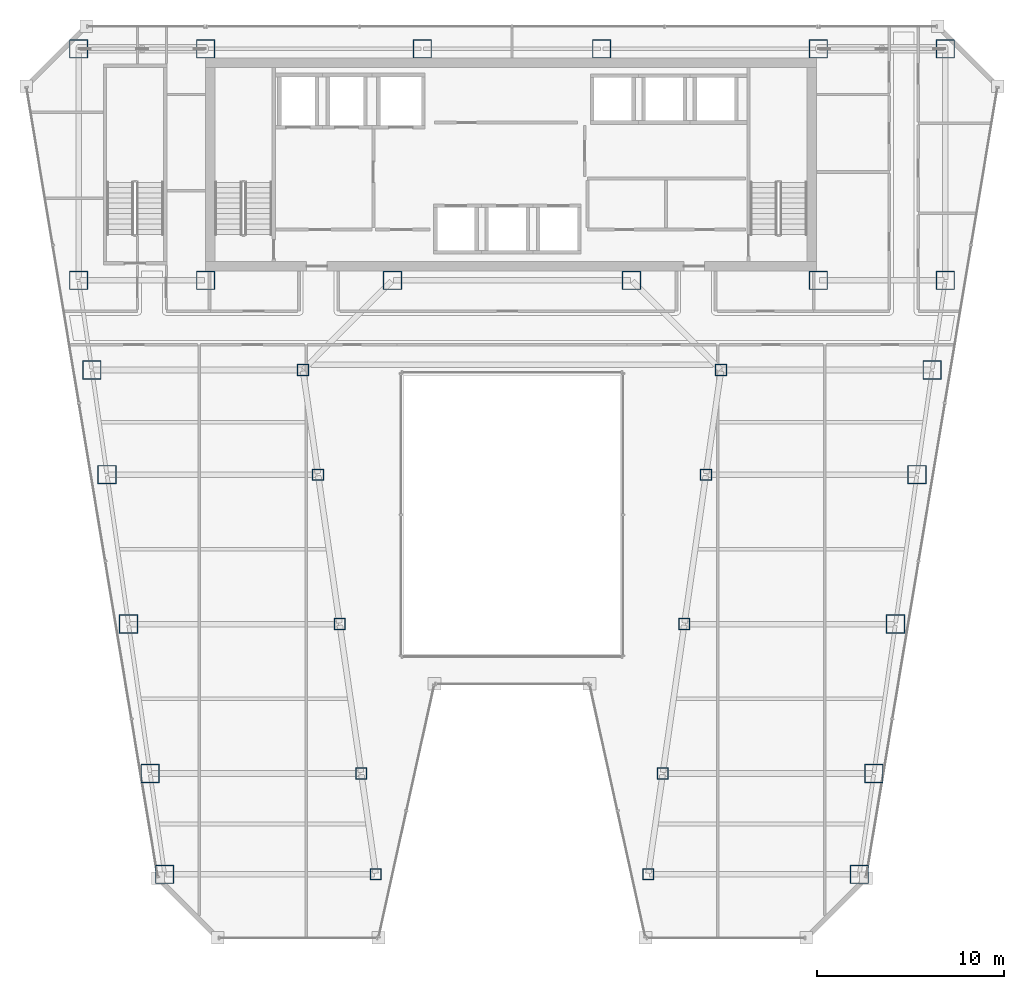
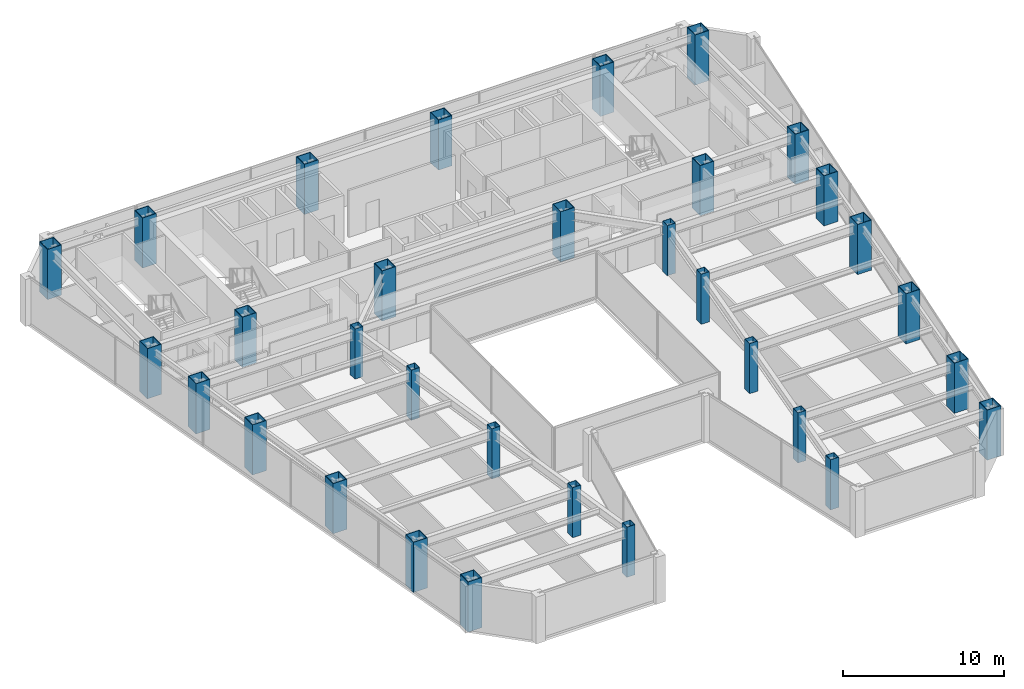
# One storey, part 1 of 40: 32 columns.
"""IFC4 building model written with IfcOpenShell, lengths in metres."""

from ifc_helpers import new_model, si_unit, direction, frame, origin, origin_2d, place, context, subcontext, project, spatial, hollow_rectangle, extrude, material, material_profile, profile_set, type_object, element, save


model = new_model("IFC4")

# Units and contexts
model_context = context("Model", 3, precision=1e-05, world=origin(), true_north=direction((0.0, 1.0)))
body_context = subcontext(model_context, "Body", "Model", "MODEL_VIEW")
ifc_project = project(units=[si_unit("LENGTHUNIT", "METRE"), si_unit("AREAUNIT", "SQUARE_METRE"), si_unit("VOLUMEUNIT", "CUBIC_METRE"), si_unit("PLANEANGLEUNIT", "RADIAN"), si_unit("MASSUNIT", "GRAM", prefix="KILO")], contexts=[model_context])

# Site, building, storey
site_placement = place(None, origin())
site = spatial("IfcSite", under=ifc_project, at=site_placement, CompositionType="ELEMENT")
building_placement = place(site_placement, origin())
building = spatial("IfcBuilding", under=site, at=building_placement, Name="Saevonmaru Cultural Tower", CompositionType="ELEMENT")
storey_placement = place(building_placement, frame((0.0, 0.0, 129.60009765625)))
storey = spatial("IfcBuildingStorey", under=building, at=storey_placement, Name="L27", CompositionType="ELEMENT", Elevation=129.60009765625)

# Columns
ifc_material_1 = material(Name="Steel SM420", Category="steel")
ifc_material_profile_1 = material_profile(ifc_material_1, hollow_rectangle(XDim=1.0, YDim=1.0, WallThickness=0.044921875, at=origin_2d()), Name="BOX-1000x1000x45")
ifc_profile_set_1 = profile_set([ifc_material_profile_1], Name="Steel SM420")
column_type_1 = type_object("IfcColumnType", Name="COL-BOX-1000", PredefinedType="COLUMN", material=ifc_profile_set_1)
for number, where, z_axis, x_axis, name in (
    (1, (6.800048828125, 54.800048828125, 0.0), (0.0, 0.0, 1.0), (1.0, 0.0, 0.0), "L27 Column TC-N1N"),
    (2, (13.60009765625, 54.800048828125, 0.0), (0.0, 0.0, 1.0), (1.0, 0.0, 0.0), "L27 Column TC-N2N"),
    (3, (25.199951171875, 54.800048828125, 0.0), (0.0, 0.0, 1.0), (1.0, 0.0, 0.0), "L27 Column TC-N3N"),
    (4, (34.800048828125, 54.800048828125, 0.0), (0.0, 0.0, 1.0), (1.0, 0.0, 0.0), "L27 Column TC-N4N"),
    (5, (46.39990234375, 54.800048828125, 0.0), (0.0, 0.0, 1.0), (1.0, 0.0, 0.0), "L27 Column TC-N5N"),
    (6, (53.199951171875, 54.800048828125, 0.0), (0.0, 0.0, 1.0), (1.0, 0.0, 0.0), "L27 Column TC-N6N"),
    (7, (6.800048828125, 42.39990234375, 0.0), (0.0, 0.0, 1.0), (1.0, 0.0, 0.0), "L27 Column TC-S1C"),
    (8, (13.60009765625, 42.39990234375, 0.0), (0.0, 0.0, 1.0), (1.0, 0.0, 0.0), "L27 Column TC-S2C"),
    (9, (23.60009765625, 42.39990234375, 0.0), (0.0, 0.0, 1.0), (1.0, 0.0, 0.0), "L27 Column TC-S3C"),
    (10, (36.39990234375, 42.39990234375, 0.0), (0.0, 0.0, 1.0), (1.0, 0.0, 0.0), "L27 Column TC-S4C"),
    (11, (46.39990234375, 42.39990234375, 0.0), (0.0, 0.0, 1.0), (1.0, 0.0, 0.0), "L27 Column TC-S5C"),
    (12, (53.199951171875, 42.39990234375, 0.0), (0.0, 0.0, 1.0), (1.0, 0.0, 0.0), "L27 Column TC-S6C"),
    (13, (11.407958984375, 10.60009765625, 0.0), (0.0, 0.0, 1.0), (1.0, 0.0, 0.0), "L27 Column TC-WO-Y106"),
    (14, (48.592041015625, 10.60009765625, 0.0), (0.0, 0.0, 1.0), (1.0, 0.0, 0.0), "L27 Column TC-EO-Y106"),
    (15, (10.6279296875, 16.0, 0.0), (0.0, 0.0, 1.0), (1.0, 0.0, 0.0), "L27 Column TC-WO-Y160"),
    (16, (49.3720703125, 16.0, 0.0), (0.0, 0.0, 1.0), (1.0, 0.0, 0.0), "L27 Column TC-EO-Y160"),
    (17, (9.471923828125, 24.0, 0.0), (0.0, 0.0, 1.0), (1.0, 0.0, 0.0), "L27 Column TC-WO-Y240"),
    (18, (50.528076171875, 24.0, 0.0), (0.0, 0.0, 1.0), (1.0, 0.0, 0.0), "L27 Column TC-EO-Y240"),
    (19, (8.31689453125, 32.0, 0.0), (0.0, 0.0, 1.0), (1.0, 0.0, 0.0), "L27 Column TC-WO-Y320"),
    (20, (51.68310546875, 32.0, 0.0), (0.0, 0.0, 1.0), (1.0, 0.0, 0.0), "L27 Column TC-EO-Y320"),
    (21, (7.508056640625, 37.60009765625, 0.0), (0.0, 0.0, 1.0), (1.0, 0.0, 0.0), "L27 Column TC-WO-Y376"),
    (22, (52.491943359375, 37.60009765625, 0.0), (0.0, 0.0, 1.0), (1.0, 0.0, 0.0), "L27 Column TC-EO-Y376"),
):
    element("IfcColumn", number, at=place(storey_placement, frame(where, z_axis=z_axis, x_axis=x_axis)), inside=storey, type_object=column_type_1, Name=name, PredefinedType="COLUMN", context=body_context, shape_type="SweptSolid", body=[
        extrude(hollow_rectangle(XDim=1.0, YDim=1.0, WallThickness=0.044921875, at=origin_2d()), origin(), (0.0, 0.0, 1.0), 3.7998046875),
    ])
ifc_material_2 = material(Name="Steel SM355", Category="steel")
ifc_material_profile_2 = material_profile(ifc_material_2, hollow_rectangle(XDim=0.60009765625, YDim=0.60009765625, WallThickness=0.028076171875, at=origin_2d()), Name="BOX-600x600x28")
ifc_profile_set_2 = profile_set([ifc_material_profile_2], Name="Steel SM355")
column_type_2 = type_object("IfcColumnType", Name="COL-BOX-600", PredefinedType="COLUMN", material=ifc_profile_set_2)
for number, where, z_axis, x_axis, name in (
    (23, (22.7080078125, 10.60009765625, 0.0), (0.0, 0.0, 1.0), (1.0, 0.0, 0.0), "L27 Column TC-WI-Y106"),
    (24, (37.2919921875, 10.60009765625, 0.0), (0.0, 0.0, 1.0), (1.0, 0.0, 0.0), "L27 Column TC-EI-Y106"),
    (25, (21.927978515625, 16.0, 0.0), (0.0, 0.0, 1.0), (1.0, 0.0, 0.0), "L27 Column TC-WI-Y160"),
    (26, (38.072021484375, 16.0, 0.0), (0.0, 0.0, 1.0), (1.0, 0.0, 0.0), "L27 Column TC-EI-Y160"),
    (27, (20.77197265625, 24.0, 0.0), (0.0, 0.0, 1.0), (1.0, 0.0, 0.0), "L27 Column TC-WI-Y240"),
    (28, (39.22802734375, 24.0, 0.0), (0.0, 0.0, 1.0), (1.0, 0.0, 0.0), "L27 Column TC-EI-Y240"),
    (29, (19.616943359375, 32.0, 0.0), (0.0, 0.0, 1.0), (1.0, 0.0, 0.0), "L27 Column TC-WI-Y320"),
    (30, (40.383056640625, 32.0, 0.0), (0.0, 0.0, 1.0), (1.0, 0.0, 0.0), "L27 Column TC-EI-Y320"),
    (31, (18.80810546875, 37.60009765625, 0.0), (0.0, 0.0, 1.0), (1.0, 0.0, 0.0), "L27 Column TC-WI-Y376"),
    (32, (41.19189453125, 37.60009765625, 0.0), (0.0, 0.0, 1.0), (1.0, 0.0, 0.0), "L27 Column TC-EI-Y376"),
):
    element("IfcColumn", number, at=place(storey_placement, frame(where, z_axis=z_axis, x_axis=x_axis)), inside=storey, type_object=column_type_2, Name=name, PredefinedType="COLUMN", context=body_context, shape_type="SweptSolid", body=[
        extrude(hollow_rectangle(XDim=0.60009765625, YDim=0.60009765625, WallThickness=0.028076171875, at=origin_2d()), origin(), (0.0, 0.0, 1.0), 3.7998046875),
    ])

save(model, "model.ifc")
